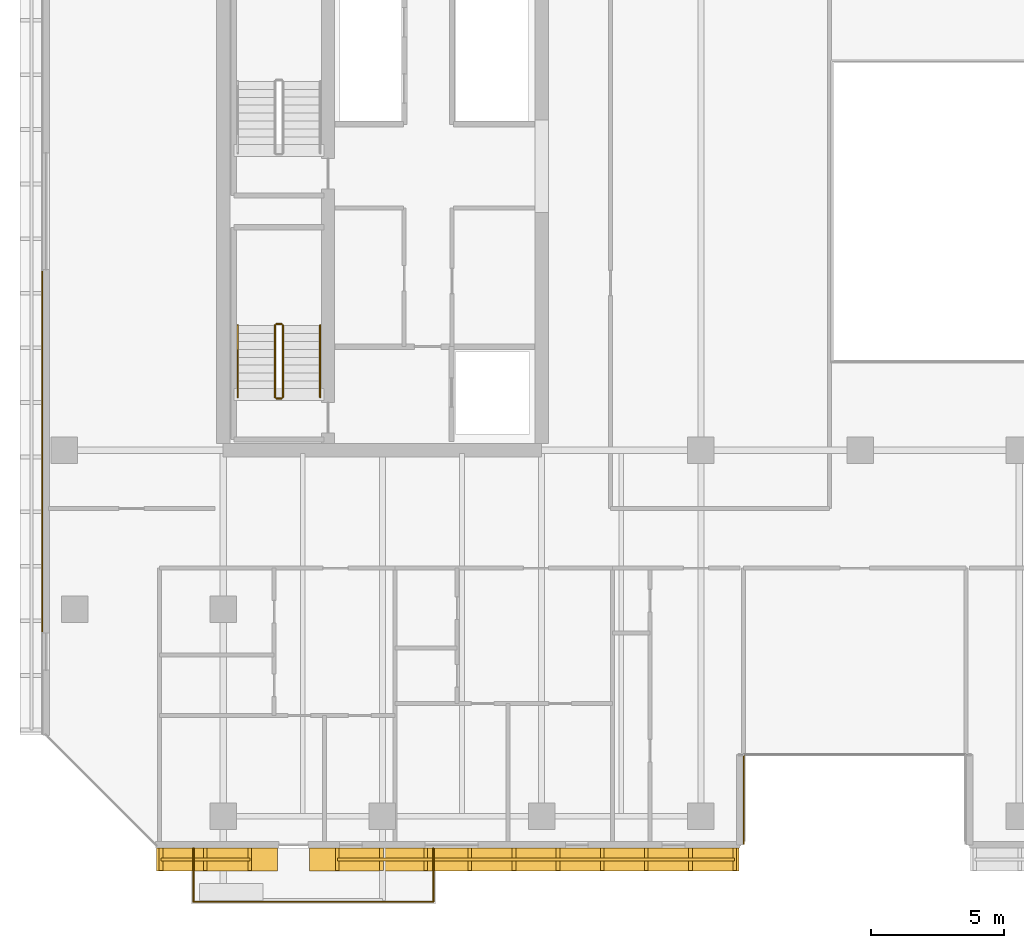
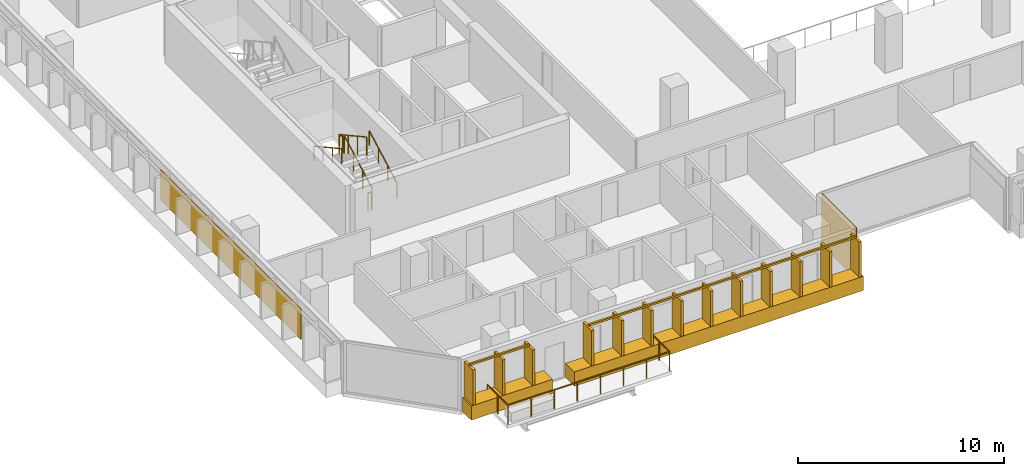
# One storey, part 30 of 35: 9 railings, 4 coverings.
"""IFC4 building model written with IfcOpenShell, lengths in metres."""

from ifc_helpers import new_model, si_unit, direction, frame, origin, origin_2d, place, context, subcontext, project, spatial, rectangle, extrude, material, layer, layer_set, type_object, element, save


model = new_model("IFC4")

# Units and contexts
model_context = context("Model", 3, precision=1e-05, world=origin(), true_north=direction((0.0, 1.0)))
body_context = subcontext(model_context, "Body", "Model", "MODEL_VIEW")
ifc_project = project(units=[si_unit("LENGTHUNIT", "METRE"), si_unit("AREAUNIT", "SQUARE_METRE"), si_unit("VOLUMEUNIT", "CUBIC_METRE"), si_unit("PLANEANGLEUNIT", "RADIAN"), si_unit("MASSUNIT", "GRAM", prefix="KILO")], contexts=[model_context])

# Site, building, storey
site_placement = place(None, origin())
site = spatial("IfcSite", under=ifc_project, at=site_placement, CompositionType="ELEMENT")
building_placement = place(site_placement, origin())
building = spatial("IfcBuilding", under=site, at=building_placement, Name="Tanjung Sevakor Pilgrim Tower", CompositionType="ELEMENT")
storey_placement = place(building_placement, frame((0.0, 0.0, 92.070068359375)))
storey = spatial("IfcBuildingStorey", under=building, at=storey_placement, Name="L25", CompositionType="ELEMENT", Elevation=92.070068359375)

# Coverings
ifc_material_1 = material(Name="Reconstructed Limestone Cladding", Category="masonry")
ifc_layer = layer(ifc_material_1, 0.044921875)
ifc_layer_set = layer_set([ifc_layer], Name="COV-CLAD-LIMESTONE")
covering_type = type_object("IfcCoveringType", Name="COV-CLAD-LIMESTONE", PredefinedType="CLADDING", material=ifc_layer_set)
covering_1_placement = place(storey_placement, frame((23.765869140625, 9.169921875, 0.009765625), z_axis=(0.0, 0.0, 1.0), x_axis=(1.0, 0.0, 0.0)))
element("IfcCovering", 1, at=covering_1_placement, inside=storey, type_object=covering_type, Name="L25 Warm Limestone Sill Spandrel EW-L25-MAIN-1-1", PredefinedType="CLADDING", context=body_context, shape_type="SweptSolid", body=[
    extrude(rectangle(XDim=4.548095703125, YDim=0.860107421875, at=origin_2d()), origin(), (0.0, 0.0, 1.0), 0.840087890625),
])
covering_2_placement = place(storey_placement, frame((35.347412109375, 9.169921875, 0.009765625), z_axis=(0.0, 0.0, 1.0), x_axis=(1.0, 0.0, 0.0)))
element("IfcCovering", 2, at=covering_2_placement, inside=storey, type_object=covering_type, Name="L25 Warm Limestone Sill Spandrel EW-L25-MAIN-1-2", PredefinedType="CLADDING", context=body_context, shape_type="SweptSolid", body=[
    extrude(rectangle(XDim=16.175048828125, YDim=0.860107421875, at=origin_2d()), origin(), (0.0, 0.0, 1.0), 0.840087890625),
])
covering_3_placement = place(storey_placement, frame((43.62255859375, 11.425048828125, 0.02001953125), z_axis=(0.0, 0.0, 1.0), x_axis=(0.0, 1.0, 0.0)))
element("IfcCovering", 3, at=covering_3_placement, inside=storey, type_object=covering_type, Name="L25 Warm Limestone Wall Cladding EW-L25-MAIN-2", PredefinedType="CLADDING", context=body_context, shape_type="SweptSolid", body=[
    extrude(rectangle(XDim=3.360107421875, YDim=0.044921875, at=origin_2d()), origin(), (0.0, 0.0, 1.0), 3.0400390625),
])
covering_4_placement = place(storey_placement, frame((17.177490234375, 24.552978515625, 0.849853515625), z_axis=(0.0, 0.0, 1.0), x_axis=(0.0, -1.0, 0.0)))
element("IfcCovering", 4, at=covering_4_placement, inside=storey, type_object=covering_type, Name="L25 Warm Limestone Pier Panel EW-L25-MAIN-15-2", PredefinedType="CLADDING", context=body_context, shape_type="SweptSolid", body=[
    extrude(rectangle(XDim=13.593994140625, YDim=0.044921875, at=origin_2d()), origin(), (0.0, 0.0, 1.0), 1.81005859375),
])

# Railings
ifc_material_2 = material(Name="Laminated Glass and Aluminium", Category="aluminium")
railing_type_1 = type_object("IfcRailingType", Name="RL-BAL-BALUST", PredefinedType="BALUSTRADE", material=ifc_material_2)
railing_1_placement = place(storey_placement, frame((22.8798828125, 9.60009765625, 0.0)))
element("IfcRailing", 5, at=railing_1_placement, inside=storey, type_object=railing_type_1, Name="L25 Loggia Balustrade MAIN-S1", PredefinedType="BALUSTRADE", context=body_context, shape_type="SweptSolid", body=[
    extrude(rectangle(XDim=0.0479, YDim=0.0479), frame((0.0, 0.0, 1.1259765625), z_axis=(0.0, -1.0, 0.0), x_axis=(1.0, 0.0, 0.0)), (0.0, 0.0, 1.0), 2.02001953125),
    extrude(rectangle(XDim=0.0479, YDim=0.0479), frame((0.0, -2.02001953125, 1.1259765625), z_axis=(1.0, 0.0, 0.0), x_axis=(0.0, 1.0, 0.0)), (0.0, 0.0, 1.0), 9.0400390625),
    extrude(rectangle(XDim=0.0479, YDim=0.0479), frame((9.0400390625, -2.02001953125, 1.1259765625), z_axis=(0.0, 1.0, 0.0), x_axis=(-1.0, 0.0, 0.0)), (0.0, 0.0, 1.0), 2.02001953125),
    extrude(rectangle(XDim=0.042, YDim=0.042), origin(), (0.0, 0.0, 1.0), 1.101806640625),
    extrude(rectangle(XDim=0.042, YDim=0.042), frame((0.0, -1.010009765625, 0.0)), (0.0, 0.0, 1.0), 1.101806640625),
    extrude(rectangle(XDim=0.042, YDim=0.042), frame((0.0, -2.02001953125, 0.0)), (0.0, 0.0, 1.0), 1.101806640625),
    extrude(rectangle(XDim=0.042, YDim=0.042), frame((1.29150390625, -2.02001953125, 0.0)), (0.0, 0.0, 1.0), 1.101806640625),
    extrude(rectangle(XDim=0.042, YDim=0.042), frame((2.582763671875, -2.02001953125, 0.0)), (0.0, 0.0, 1.0), 1.101806640625),
    extrude(rectangle(XDim=0.042, YDim=0.042), frame((3.874267578125, -2.02001953125, 0.0)), (0.0, 0.0, 1.0), 1.101806640625),
    extrude(rectangle(XDim=0.042, YDim=0.042), frame((5.165771484375, -2.02001953125, 0.0)), (0.0, 0.0, 1.0), 1.101806640625),
    extrude(rectangle(XDim=0.042, YDim=0.042), frame((6.457275390625, -2.02001953125, 0.0)), (0.0, 0.0, 1.0), 1.101806640625),
    extrude(rectangle(XDim=0.042, YDim=0.042), frame((7.74853515625, -2.02001953125, 0.0)), (0.0, 0.0, 1.0), 1.101806640625),
    extrude(rectangle(XDim=0.042, YDim=0.042), frame((9.0400390625, -2.02001953125, 0.0)), (0.0, 0.0, 1.0), 1.101806640625),
    extrude(rectangle(XDim=0.042, YDim=0.042), frame((9.0400390625, -1.010009765625, 0.0)), (0.0, 0.0, 1.0), 1.101806640625),
    extrude(rectangle(XDim=0.042, YDim=0.042), frame((9.0400390625, 0.0, 0.0)), (0.0, 0.0, 1.0), 1.101806640625),
])
ifc_material_3 = material(Name="Anodised Bronze Aluminium 6063-T6", Category="aluminium")
railing_type_2 = type_object("IfcRailingType", Name="RL-FIN-SCREEN", PredefinedType="BALUSTRADE", material=ifc_material_3)
railing_2_placement = place(storey_placement, frame((21.65185546875, 9.175048828125, 0.83984375)))
element("IfcRailing", 6, at=railing_2_placement, inside=storey, type_object=railing_type_2, Name="L25 Vertical Bronze-Gold Solar Fin Screen FNSCR-EW-L25-MAIN-1-1", PredefinedType="BALUSTRADE", context=body_context, shape_type="SweptSolid", body=[
    extrude(rectangle(XDim=0.105, YDim=0.105), frame((0.0, 0.0, 2.157470703125), z_axis=(1.0, 0.0, 0.0), x_axis=(0.0, 1.0, 0.0)), (0.0, 0.0, 1.0), 3.34814453125),
    extrude(rectangle(XDim=0.14, YDim=0.85), origin(), (0.0, 0.0, 1.0), 2.10498046875),
    extrude(rectangle(XDim=0.14, YDim=0.85), frame((1.674072265625, 0.0, 0.0)), (0.0, 0.0, 1.0), 2.10498046875),
    extrude(rectangle(XDim=0.14, YDim=0.85), frame((3.34814453125, 0.0, 0.0)), (0.0, 0.0, 1.0), 2.10498046875),
])
railing_3_placement = place(storey_placement, frame((28.300048828125, 9.175048828125, 0.83984375)))
element("IfcRailing", 7, at=railing_3_placement, inside=storey, type_object=railing_type_2, Name="L25 Vertical Bronze-Gold Solar Fin Screen FNSCR-EW-L25-MAIN-1-2", PredefinedType="BALUSTRADE", context=body_context, shape_type="SweptSolid", body=[
    extrude(rectangle(XDim=0.105, YDim=0.105), frame((0.0, 0.0, 2.157470703125), z_axis=(1.0, 0.0, 0.0), x_axis=(0.0, 1.0, 0.0)), (0.0, 0.0, 1.0), 14.974853515625),
    extrude(rectangle(XDim=0.14, YDim=0.85), origin(), (0.0, 0.0, 1.0), 2.10498046875),
    extrude(rectangle(XDim=0.14, YDim=0.85), frame((1.663818359375, 0.0, 0.0)), (0.0, 0.0, 1.0), 2.10498046875),
    extrude(rectangle(XDim=0.14, YDim=0.85), frame((3.32763671875, 0.0, 0.0)), (0.0, 0.0, 1.0), 2.10498046875),
    extrude(rectangle(XDim=0.14, YDim=0.85), frame((4.99169921875, 0.0, 0.0)), (0.0, 0.0, 1.0), 2.10498046875),
    extrude(rectangle(XDim=0.14, YDim=0.85), frame((6.655517578125, 0.0, 0.0)), (0.0, 0.0, 1.0), 2.10498046875),
    extrude(rectangle(XDim=0.14, YDim=0.85), frame((8.3193359375, 0.0, 0.0)), (0.0, 0.0, 1.0), 2.10498046875),
    extrude(rectangle(XDim=0.14, YDim=0.85), frame((9.983154296875, 0.0, 0.0)), (0.0, 0.0, 1.0), 2.10498046875),
    extrude(rectangle(XDim=0.14, YDim=0.85), frame((11.647216796875, 0.0, 0.0)), (0.0, 0.0, 1.0), 2.10498046875),
    extrude(rectangle(XDim=0.14, YDim=0.85), frame((13.31103515625, 0.0, 0.0)), (0.0, 0.0, 1.0), 2.10498046875),
    extrude(rectangle(XDim=0.14, YDim=0.85), frame((14.974853515625, 0.0, 0.0)), (0.0, 0.0, 1.0), 2.10498046875),
])
ifc_material_4 = material(Name="Steel S355J2", Category="steel")
railing_type_3 = type_object("IfcRailingType", Name="RL-STAIR-GUARD", PredefinedType="GUARDRAIL", material=ifc_material_4)
railing_4_placement = place(storey_placement, frame((26.25, 26.60009765625, 0.1650390625)))
element("IfcRailing", 8, at=railing_4_placement, inside=storey, type_object=railing_type_3, Name="L25 TS-W1 stair guard 1", PredefinedType="GUARDRAIL", context=body_context, shape_type="SweptSolid", body=[
    extrude(rectangle(XDim=0.0479, YDim=0.0479), frame((0.0, 0.0, 1.076171875), z_axis=(0.0, 0.876230963923, 0.481891375584), x_axis=(-1.0, 0.0, 0.0)), (0.0, 0.0, 1.0), 3.081298828125),
    extrude(rectangle(XDim=0.042, YDim=0.042), origin(), (0.0, 0.0, 1.0), 1.052001953125),
    extrude(rectangle(XDim=0.042, YDim=0.042), frame((0.0, 0.89990234375, 0.494873046875)), (0.0, 0.0, 1.0), 1.052001953125),
    extrude(rectangle(XDim=0.042, YDim=0.042), frame((0.0, 1.800048828125, 0.989990234375)), (0.0, 0.0, 1.0), 1.052001953125),
    extrude(rectangle(XDim=0.042, YDim=0.042), frame((0.0, 2.699951171875, 1.48486328125)), (0.0, 0.0, 1.0), 1.052001953125),
])
railing_5_placement = place(storey_placement, frame((26.199951171875, 29.35009765625, 1.64990234375)))
element("IfcRailing", 9, at=railing_5_placement, inside=storey, type_object=railing_type_3, Name="L25 TS-W1 stair guard 2", PredefinedType="GUARDRAIL", context=body_context, shape_type="SweptSolid", body=[
    extrude(rectangle(XDim=0.0479, YDim=0.0479), frame((0.0, 0.0, 1.076171875), z_axis=(-1.0, 0.0, 0.0), x_axis=(0.0, -1.0, 0.0)), (0.0, 0.0, 1.0), 0.199951171875),
    extrude(rectangle(XDim=0.042, YDim=0.042), origin(), (0.0, 0.0, 1.0), 1.052001953125),
    extrude(rectangle(XDim=0.042, YDim=0.042), frame((-0.199951171875, 0.0, 0.0)), (0.0, 0.0, 1.0), 1.052001953125),
])
railing_6_placement = place(storey_placement, frame((25.949951171875, 29.300048828125, 1.81494140625)))
element("IfcRailing", 10, at=railing_6_placement, inside=storey, type_object=railing_type_3, Name="L25 TS-W1 stair guard 3", PredefinedType="GUARDRAIL", context=body_context, shape_type="SweptSolid", body=[
    extrude(rectangle(XDim=0.0479, YDim=0.0479), frame((0.0, 0.0, 1.076171875), z_axis=(0.0, -0.876197507361, 0.481952205197), x_axis=(1.0, 0.0, 0.0)), (0.0, 0.0, 1.0), 3.08154296875),
    extrude(rectangle(XDim=0.042, YDim=0.042), origin(), (0.0, 0.0, 1.0), 1.052001953125),
    extrude(rectangle(XDim=0.042, YDim=0.042), frame((0.0, -0.89990234375, 0.4951171875)), (0.0, 0.0, 1.0), 1.052001953125),
    extrude(rectangle(XDim=0.042, YDim=0.042), frame((0.0, -1.800048828125, 0.989990234375)), (0.0, 0.0, 1.0), 1.052001953125),
    extrude(rectangle(XDim=0.042, YDim=0.042), frame((0.0, -2.699951171875, 1.485107421875)), (0.0, 0.0, 1.0), 1.052001953125),
])
railing_7_placement = place(storey_placement, frame((26.199951171875, 26.550048828125, 0.0)))
element("IfcRailing", 11, at=railing_7_placement, inside=storey, type_object=railing_type_3, Name="L25 TS-W1 stair guard 4", PredefinedType="GUARDRAIL", context=body_context, shape_type="SweptSolid", body=[
    extrude(rectangle(XDim=0.0479, YDim=0.0479), frame((0.0, 0.0, 1.076171875), z_axis=(-1.0, 0.0, 0.0), x_axis=(0.0, -1.0, 0.0)), (0.0, 0.0, 1.0), 0.199951171875),
    extrude(rectangle(XDim=0.042, YDim=0.042), origin(), (0.0, 0.0, 1.0), 1.052001953125),
    extrude(rectangle(XDim=0.042, YDim=0.042), frame((-0.199951171875, 0.0, 0.0)), (0.0, 0.0, 1.0), 1.052001953125),
])
ifc_material_5 = material(Name="Steel S355J2", Category="steel")
railing_type_4 = type_object("IfcRailingType", Name="RL-STAIR-HAND", PredefinedType="HANDRAIL", material=ifc_material_5)
railing_8_placement = place(storey_placement, frame((27.64990234375, 26.60009765625, 0.1650390625)))
element("IfcRailing", 12, at=railing_8_placement, inside=storey, type_object=railing_type_4, Name="L25 TS-W1 stair handrail 1", PredefinedType="HANDRAIL", context=body_context, shape_type="SweptSolid", body=[
    extrude(rectangle(XDim=0.0479, YDim=0.0479), frame((0.0, 0.0, 0.8759765625), z_axis=(0.0, 0.876230963923, 0.481891375584), x_axis=(-1.0, 0.0, 0.0)), (0.0, 0.0, 1.0), 3.081298828125),
    extrude(rectangle(XDim=0.042, YDim=0.042), origin(), (0.0, 0.0, 1.0), 0.851806640625),
    extrude(rectangle(XDim=0.042, YDim=0.042), frame((0.0, 0.89990234375, 0.494873046875)), (0.0, 0.0, 1.0), 0.851806640625),
    extrude(rectangle(XDim=0.042, YDim=0.042), frame((0.0, 1.800048828125, 0.989990234375)), (0.0, 0.0, 1.0), 0.851806640625),
    extrude(rectangle(XDim=0.042, YDim=0.042), frame((0.0, 2.699951171875, 1.48486328125)), (0.0, 0.0, 1.0), 0.851806640625),
])
railing_9_placement = place(storey_placement, frame((24.550048828125, 29.300048828125, 1.81494140625)))
element("IfcRailing", 13, at=railing_9_placement, inside=storey, type_object=railing_type_4, Name="L25 TS-W1 stair handrail 2", PredefinedType="HANDRAIL", context=body_context, shape_type="SweptSolid", body=[
    extrude(rectangle(XDim=0.0479, YDim=0.0479), frame((0.0, 0.0, 0.8759765625), z_axis=(0.0, -0.876197507361, 0.481952205197), x_axis=(1.0, 0.0, 0.0)), (0.0, 0.0, 1.0), 3.08154296875),
    extrude(rectangle(XDim=0.042, YDim=0.042), origin(), (0.0, 0.0, 1.0), 0.851806640625),
    extrude(rectangle(XDim=0.042, YDim=0.042), frame((0.0, -0.89990234375, 0.4951171875)), (0.0, 0.0, 1.0), 0.851806640625),
    extrude(rectangle(XDim=0.042, YDim=0.042), frame((0.0, -1.800048828125, 0.989990234375)), (0.0, 0.0, 1.0), 0.851806640625),
    extrude(rectangle(XDim=0.042, YDim=0.042), frame((0.0, -2.699951171875, 1.485107421875)), (0.0, 0.0, 1.0), 0.851806640625),
])

save(model, "model.ifc")
